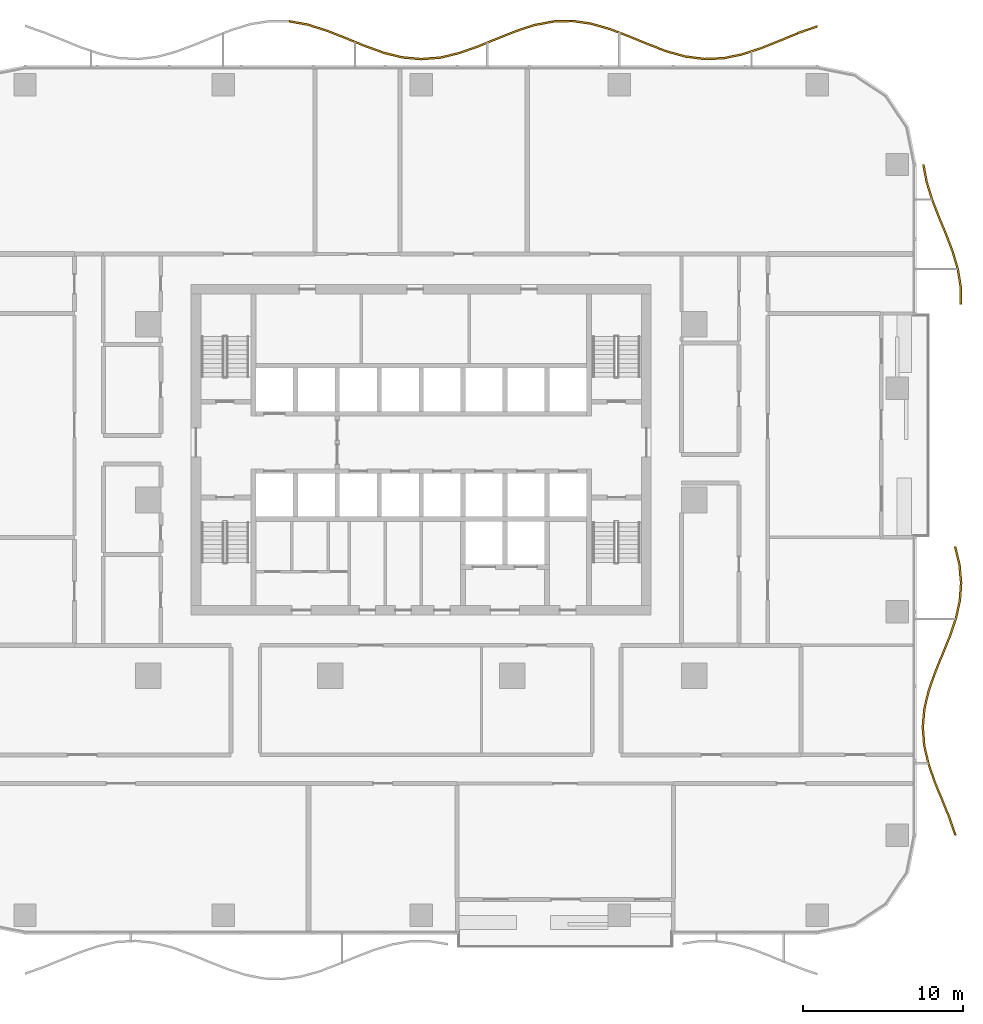
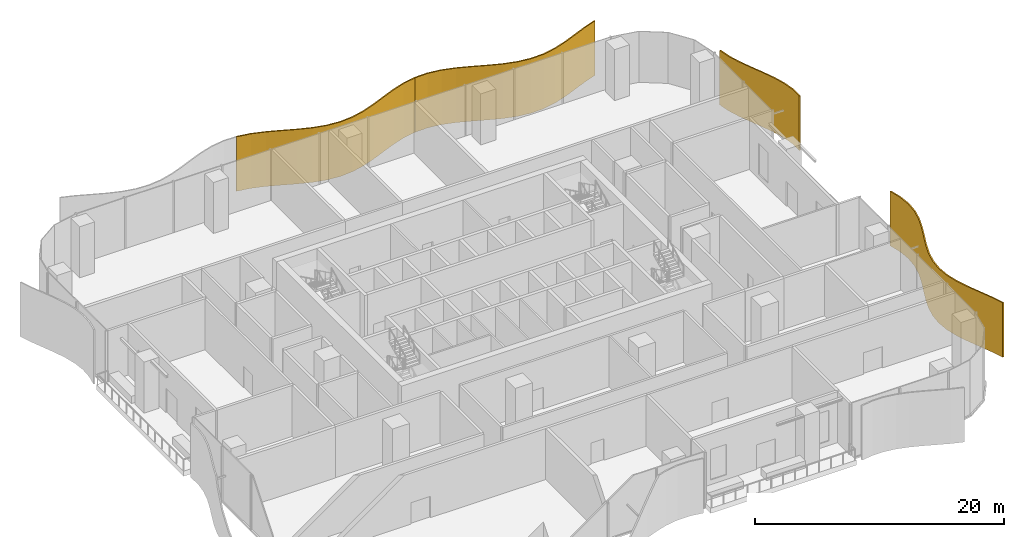
# One storey, part 21 of 21: 4 shading devices.
"""IFC4 building model written with IfcOpenShell, lengths in metres."""

from ifc_helpers import new_model, si_unit, direction, frame, origin, place, context, subcontext, project, spatial, polyline, outline, extrude, material, layer, layer_set, type_object, element, save


model = new_model("IFC4")

# Units and contexts
model_context = context("Model", 3, precision=1e-05, world=origin(), true_north=direction((0.0, 1.0)))
body_context = subcontext(model_context, "Body", "Model", "MODEL_VIEW")
ifc_project = project(units=[si_unit("LENGTHUNIT", "METRE"), si_unit("AREAUNIT", "SQUARE_METRE"), si_unit("VOLUMEUNIT", "CUBIC_METRE"), si_unit("PLANEANGLEUNIT", "RADIAN"), si_unit("MASSUNIT", "GRAM", prefix="KILO")], contexts=[model_context])

# Site, building, storey
site_placement = place(None, origin())
site = spatial("IfcSite", under=ifc_project, at=site_placement, CompositionType="ELEMENT")
building_placement = place(site_placement, origin())
building = spatial("IfcBuilding", under=site, at=building_placement, Name="Mopane Tessera Tower", CompositionType="ELEMENT")
storey_placement = place(building_placement, frame((0.0, 0.0, 20.0)))
storey = spatial("IfcBuildingStorey", under=building, at=storey_placement, Name="L03", CompositionType="ELEMENT", Elevation=20.0)

# Shading devices
ifc_material = material(Name="Anodised aluminium louvre blades", Category="aluminium")
ifc_layer = layer(ifc_material, 0.1201171875)
ifc_layer_set = layer_set([ifc_layer], Name="Anodised aluminium louvre blades")
shading_device_type = type_object("IfcShadingDeviceType", Name="Wave louvre screen", PredefinedType="JALOUSIE", material=ifc_layer_set)
shading_device_1_placement = place(storey_placement, frame((0.0, 0.0, -0.340087890625)))
element("IfcShadingDevice", 1, at=shading_device_1_placement, inside=storey, type_object=shading_device_type, Name="e:lv:L03:E:0", PredefinedType="JALOUSIE", context=body_context, shape_type="SweptSolid", body=[
    extrude(outline(polyline([(33.388427734375, -21.0), (32.99755859375, -19.870849609375), (32.53662109375, -18.74169921875), (32.075927734375, -17.612548828125), (31.6865234375, -16.4833984375), (31.427978515625, -15.354248046875), (31.340087890625, -14.22509765625), (31.43603515625, -13.095947265625), (31.701416015625, -11.966552734375), (32.09521484375, -10.83740234375), (32.557373046875, -9.708251953125), (33.016845703125, -8.5791015625), (33.4033203125, -7.449951171875), (33.6572265625, -6.32080078125), (33.73974609375, -5.191650390625), (33.638427734375, -4.0625), (33.36865234375, -2.933349609375), (33.488525390625, -2.933349609375), (33.75830078125, -4.0625), (33.85986328125, -5.191650390625), (33.777099609375, -6.32080078125), (33.523193359375, -7.449951171875), (33.136962890625, -8.5791015625), (32.677490234375, -9.708251953125), (32.21533203125, -10.83740234375), (31.8212890625, -11.966552734375), (31.55615234375, -13.095947265625), (31.4599609375, -14.22509765625), (31.548095703125, -15.354248046875), (31.806640625, -16.4833984375), (32.196044921875, -17.612548828125), (32.656494140625, -18.74169921875), (33.11767578125, -19.870849609375), (33.508544921875, -21.0), (33.388427734375, -21.0)])), origin(), (0.0, 0.0, 1.0), 5.340087890625),
])
shading_device_2_placement = place(storey_placement, frame((0.0, 0.0, -0.340087890625)))
element("IfcShadingDevice", 2, at=shading_device_2_placement, inside=storey, type_object=shading_device_type, Name="e:lv:L03:E:1", PredefinedType="JALOUSIE", context=body_context, shape_type="SweptSolid", body=[
    extrude(outline(polyline([(33.722900390625, 12.2666015625), (33.713134765625, 13.3583984375), (33.534912109375, 14.449951171875), (33.2138671875, 15.541748046875), (32.79638671875, 16.63330078125), (32.342041015625, 17.72509765625), (31.916015625, 18.816650390625), (31.57958984375, 19.908447265625), (31.380859375, 21.0), (31.5009765625, 21.0), (31.699462890625, 19.908447265625), (32.035888671875, 18.816650390625), (32.4619140625, 17.72509765625), (32.916259765625, 16.63330078125), (33.333984375, 15.541748046875), (33.65478515625, 14.449951171875), (33.8330078125, 13.3583984375), (33.843017578125, 12.2666015625), (33.722900390625, 12.2666015625)])), origin(), (0.0, 0.0, 1.0), 5.340087890625),
])
shading_device_3_placement = place(storey_placement, frame((0.0, 0.0, -0.340087890625)))
element("IfcShadingDevice", 3, at=shading_device_3_placement, inside=storey, type_object=shading_device_type, Name="e:lv:L03:N:0", PredefinedType="JALOUSIE", context=body_context, shape_type="SweptSolid", body=[
    extrude(outline(polyline([(24.800048828125, 29.588623046875), (23.619140625, 29.177490234375), (22.43798828125, 28.693115234375), (21.257080078125, 28.216552734375), (20.076171875, 27.827880859375), (18.895263671875, 27.591796875), (17.71435546875, 27.54833984375), (16.533447265625, 27.704345703125), (15.352294921875, 28.033935546875), (14.17138671875, 28.481689453125), (12.990478515625, 28.972900390625), (11.8095703125, 29.425048828125), (10.628662109375, 29.762451171875), (9.447509765625, 29.928466796875), (8.2666015625, 29.8955078125), (8.2666015625, 30.015380859375), (9.447509765625, 30.04833984375), (10.628662109375, 29.88232421875), (11.8095703125, 29.544921875), (12.990478515625, 29.0927734375), (14.17138671875, 28.601806640625), (15.352294921875, 28.15380859375), (16.533447265625, 27.82421875), (17.71435546875, 27.668212890625), (18.895263671875, 27.7119140625), (20.076171875, 27.94775390625), (21.257080078125, 28.336669921875), (22.43798828125, 28.813232421875), (23.619140625, 29.29736328125), (24.800048828125, 29.70849609375), (24.800048828125, 29.588623046875)])), origin(), (0.0, 0.0, 1.0), 5.340087890625),
])
shading_device_4_placement = place(storey_placement, frame((0.0, 0.0, -0.340087890625)))
element("IfcShadingDevice", 4, at=shading_device_4_placement, inside=storey, type_object=shading_device_type, Name="e:lv:L03:N:1", PredefinedType="JALOUSIE", context=body_context, shape_type="SweptSolid", body=[
    extrude(outline(polyline([(8.2666015625, 29.8955078125), (7.085693359375, 29.668701171875), (5.90478515625, 29.28662109375), (4.723876953125, 28.812744140625), (3.54296875, 28.32666015625), (2.36181640625, 27.909912109375), (1.180908203125, 27.63232421875), (0.0, 27.540283203125), (-1.180908203125, 27.649169921875), (-2.36181640625, 27.940673828125), (-3.54296875, 28.366455078125), (-4.723876953125, 28.8544921875), (-5.90478515625, 29.323486328125), (-7.085693359375, 29.69482421875), (-8.2666015625, 29.906005859375), (-8.2666015625, 30.026123046875), (-7.085693359375, 29.814697265625), (-5.90478515625, 29.443603515625), (-4.723876953125, 28.974609375), (-3.54296875, 28.486328125), (-2.36181640625, 28.060791015625), (-1.180908203125, 27.76904296875), (0.0, 27.66015625), (1.180908203125, 27.752197265625), (2.36181640625, 28.030029296875), (3.54296875, 28.44677734375), (4.723876953125, 28.932861328125), (5.90478515625, 29.406494140625), (7.085693359375, 29.788818359375), (8.2666015625, 30.015380859375), (8.2666015625, 29.8955078125)])), origin(), (0.0, 0.0, 1.0), 5.340087890625),
])

save(model, "model.ifc")
